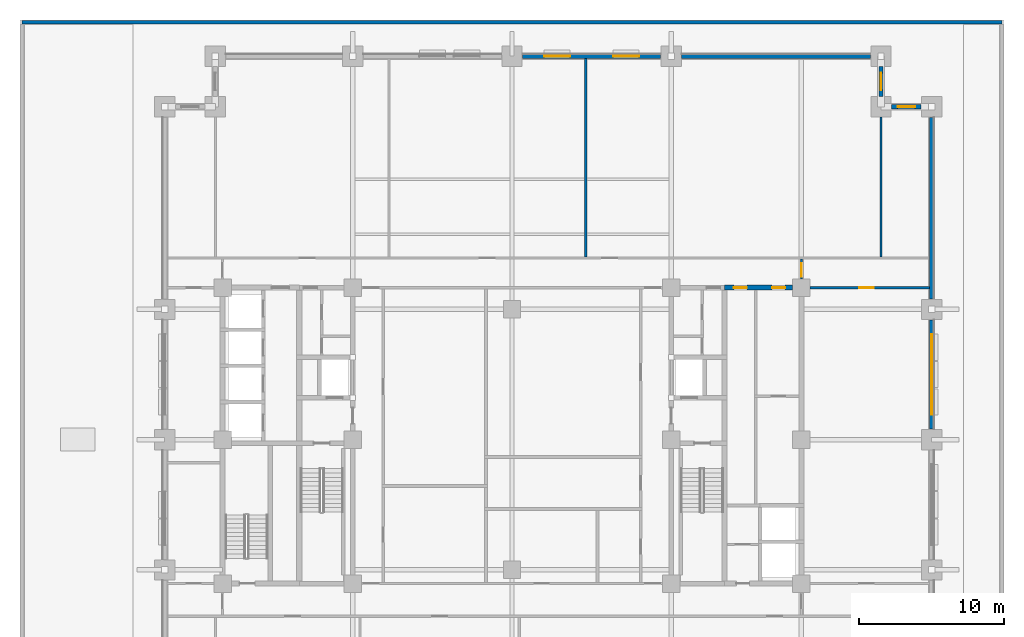
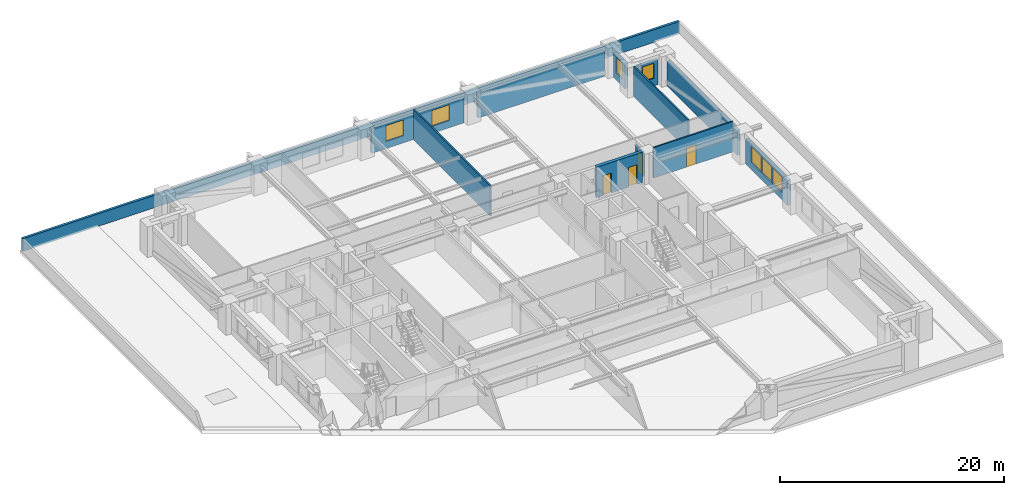
# One storey, part 7 of 12: 12 walls, 7 windows, 4 doors, 11 openings.
"""IFC4 building model written with IfcOpenShell, lengths in metres."""

from ifc_helpers import new_model, si_unit, direction, frame, frame_2d, origin, place, context, subcontext, project, spatial, rectangle, extrude, material, layer, layer_set, type_object, element, fill, save


model = new_model("IFC4")

# Units and contexts
model_context = context("Model", 3, precision=1e-05, world=origin(), true_north=direction((0.0, 1.0)))
body_context = subcontext(model_context, "Body", "Model", "MODEL_VIEW")
ifc_project = project(units=[si_unit("LENGTHUNIT", "METRE"), si_unit("AREAUNIT", "SQUARE_METRE"), si_unit("VOLUMEUNIT", "CUBIC_METRE"), si_unit("PLANEANGLEUNIT", "RADIAN"), si_unit("MASSUNIT", "GRAM", prefix="KILO")], contexts=[model_context])

# Site, building, storey
site_placement = place(None, origin())
site = spatial("IfcSite", under=ifc_project, at=site_placement, CompositionType="ELEMENT")
building_placement = place(site_placement, origin())
building = spatial("IfcBuilding", under=site, at=building_placement, Name="Zulmaris Gate Convention Tower", CompositionType="ELEMENT")
storey_placement = place(building_placement, frame((0.0, 0.0, 27.199951171875)))
storey = spatial("IfcBuildingStorey", under=building, at=storey_placement, Name="L05", CompositionType="ELEMENT", Elevation=27.199951171875)

# Wall, openings, doors
ifc_material_1 = material(Name="Concrete C55/67", Category="concrete")
ifc_layer_1 = layer(ifc_material_1, 0.35009765625, Name="Concrete C55/67")
ifc_layer_set_1 = layer_set([ifc_layer_1], Name="Concrete C55/67")
wall_type_1 = type_object("IfcWallType", Name="CORE-350", PredefinedType="SHEAR", material=ifc_layer_set_1)
wall_1_placement = place(storey_placement, frame((14.699951171875, 10.5, 0.0), z_axis=(0.0, 0.0, 1.0), x_axis=(1.0, 0.0, 0.0)))
wall_1 = element("IfcWall", 1, at=wall_1_placement, inside=storey, type_object=wall_type_1, Name="WL-L05-019", PredefinedType="SHEAR", context=body_context, shape_type="SweptSolid", body=[
    extrude(rectangle(XDim=4.696044921875, YDim=0.35009765625, at=frame_2d((2.34814453125, 0.0))), origin(), (0.0, 0.0, 1.0), 3.320068359375),
])
opening_1_placement = place(wall_1_placement, frame((0.6298828125, 0.0, 0.0)))
opening_1 = element("IfcOpeningElement", 2, at=opening_1_placement, cuts=wall_1, Name="Opening D-12", PredefinedType="OPENING", context=body_context, shape_type="SweptSolid", body=[
    extrude(rectangle(XDim=0.89990234375, YDim=2.14990234375, at=frame_2d((0.449951171875, 1.074951171875))), frame((0.0, 0.18505859375, 0.0), z_axis=(0.0, -1.0, 0.0), x_axis=(1.0, 0.0, 0.0)), (0.0, 0.0, 1.0), 0.3701171875),
])
opening_2_placement = place(wall_1_placement, frame((3.27001953125, 0.0, 0.0)))
opening_2 = element("IfcOpeningElement", 3, at=opening_2_placement, cuts=wall_1, Name="Opening D-12", PredefinedType="OPENING", context=body_context, shape_type="SweptSolid", body=[
    extrude(rectangle(XDim=0.89990234375, YDim=2.14990234375, at=frame_2d((0.449951171875, 1.074951171875))), frame((0.0, 0.18505859375, 0.0), z_axis=(0.0, -1.0, 0.0), x_axis=(1.0, 0.0, 0.0)), (0.0, 0.0, 1.0), 0.3701171875),
])
ifc_material_2 = material(Name="Fire-Rated Timber", Category="wood")
door_type_1 = type_object("IfcDoorType", Name="DR-900-FD", OperationType="NOTDEFINED", PredefinedType="DOOR", material=ifc_material_2)
door_1_placement = place(opening_1_placement, origin())
door_1 = element("IfcDoor", 4, at=door_1_placement, inside=storey, type_object=door_type_1, Name="L05 East Comms Door 21", OperationType="SINGLE_SWING_LEFT", OverallHeight=2.14990234375, OverallWidth=0.89990234375, PredefinedType="DOOR", context=body_context, shape_type="SweptSolid", body=[
    extrude(rectangle(XDim=0.89990234375, YDim=2.14990234375, at=frame_2d((0.449951171875, 1.074951171875))), frame((0.0, 0.02490234375, 0.0), z_axis=(0.0, -1.0, 0.0), x_axis=(1.0, 0.0, 0.0)), (0.0, 0.0, 1.0), 0.050048828125),
])
fill(opening_1, door_1)
door_2_placement = place(opening_2_placement, origin())
door_2 = element("IfcDoor", 5, at=door_2_placement, inside=storey, type_object=door_type_1, Name="L05 East Archive Vault Door 22", OperationType="SINGLE_SWING_RIGHT", OverallHeight=2.14990234375, OverallWidth=0.89990234375, PredefinedType="DOOR", context=body_context, shape_type="SweptSolid", body=[
    extrude(rectangle(XDim=0.89990234375, YDim=2.14990234375, at=frame_2d((0.449951171875, 1.074951171875))), frame((0.0, 0.02490234375, 0.0), z_axis=(0.0, -1.0, 0.0), x_axis=(1.0, 0.0, 0.0)), (0.0, 0.0, 1.0), 0.050048828125),
])
fill(opening_2, door_2)

# Wall, opening, door
ifc_material_3 = material(Name="Gypsum Metal Stud Partition")
ifc_layer_2 = layer(ifc_material_3, 0.14990234375, Name="Gypsum Metal Stud Partition")
ifc_layer_set_2 = layer_set([ifc_layer_2], Name="Gypsum Metal Stud Partition")
wall_type_2 = type_object("IfcWallType", Name="PART-150", PredefinedType="PARTITIONING", material=ifc_layer_set_2)
wall_2_placement = place(storey_placement, frame((20.60595703125, 10.5, 0.0), z_axis=(0.0, 0.0, 1.0), x_axis=(1.0, 0.0, 0.0)))
wall_2 = element("IfcWall", 6, at=wall_2_placement, inside=storey, type_object=wall_type_2, Name="WL-L05-035", PredefinedType="PARTITIONING", context=body_context, shape_type="SweptSolid", body=[
    extrude(rectangle(XDim=8.22900390625, YDim=0.14990234375, at=frame_2d((4.114501953125, 0.0))), origin(), (0.0, 0.0, 1.0), 3.320068359375),
])
opening_3_placement = place(wall_2_placement, frame((3.39404296875, 0.0, 0.0)))
opening_3 = element("IfcOpeningElement", 7, at=opening_3_placement, cuts=wall_2, Name="Opening D-10", PredefinedType="OPENING", context=body_context, shape_type="SweptSolid", body=[
    extrude(rectangle(XDim=1.0, YDim=2.14990234375, at=frame_2d((0.5, 1.074951171875))), frame((0.0, 0.0849609375, 0.0), z_axis=(0.0, -1.0, 0.0), x_axis=(1.0, 0.0, 0.0)), (0.0, 0.0, 1.0), 0.169921875),
])
door_type_2 = type_object("IfcDoorType", Name="DR-1000-FD", OperationType="NOTDEFINED", PredefinedType="DOOR", material=ifc_material_2)
door_3_placement = place(opening_3_placement, origin())
door_3 = element("IfcDoor", 8, at=door_3_placement, inside=storey, type_object=door_type_2, Name="L05 East Workplace North Door 46", OperationType="SINGLE_SWING_RIGHT", OverallHeight=2.14990234375, OverallWidth=1.0, PredefinedType="DOOR", context=body_context, shape_type="SweptSolid", body=[
    extrude(rectangle(XDim=1.0, YDim=2.14990234375, at=frame_2d((0.5, 1.074951171875))), frame((0.0, 0.02490234375, 0.0), z_axis=(0.0, -1.0, 0.0), x_axis=(1.0, 0.0, 0.0)), (0.0, 0.0, 1.0), 0.050048828125),
])
fill(opening_3, door_3)

# Wall
wall_3_placement = place(storey_placement, frame((5.10009765625, 12.6279296875, 0.0), z_axis=(0.0, 0.0, 1.0), x_axis=(0.0, 1.0, 0.0)))
element("IfcWall", 9, at=wall_3_placement, inside=storey, type_object=wall_type_2, Name="WL-L05-087", PredefinedType="PARTITIONING", context=body_context, shape_type="SweptSolid", body=[
    extrude(rectangle(XDim=13.70703125, YDim=0.14990234375, at=frame_2d((6.853515625, 0.0))), origin(), (0.0, 0.0, 1.0), 3.320068359375),
])

# Wall, opening, door
wall_4_placement = place(storey_placement, frame((20.0, 11.10595703125, 0.0), z_axis=(0.0, 0.0, 1.0), x_axis=(0.0, 1.0, 0.0)))
wall_4 = element("IfcWall", 10, at=wall_4_placement, inside=storey, type_object=wall_type_2, Name="WL-L05-097", PredefinedType="PARTITIONING", context=body_context, shape_type="SweptSolid", body=[
    extrude(rectangle(XDim=1.365966796875, YDim=0.14990234375, at=frame_2d((0.68310546875, 0.0))), origin(), (0.0, 0.0, 1.0), 2.66015625),
])
opening_4_placement = place(wall_4_placement, frame((0.14990234375, 0.0, 0.0)))
opening_4 = element("IfcOpeningElement", 11, at=opening_4_placement, cuts=wall_4, Name="Opening D-11", PredefinedType="OPENING", context=body_context, shape_type="SweptSolid", body=[
    extrude(rectangle(XDim=0.949951171875, YDim=2.14990234375, at=frame_2d((0.47509765625, 1.074951171875))), frame((0.0, 0.0849609375, 0.0), z_axis=(0.0, -1.0, 0.0), x_axis=(1.0, 0.0, 0.0)), (0.0, 0.0, 1.0), 0.169921875),
])
door_type_3 = type_object("IfcDoorType", Name="DR-950-FD", OperationType="NOTDEFINED", PredefinedType="DOOR", material=ifc_material_2)
door_4_placement = place(opening_4_placement, origin())
door_4 = element("IfcDoor", 12, at=door_4_placement, inside=storey, type_object=door_type_3, Name="L05 NE Spur Door 44", OperationType="SINGLE_SWING_RIGHT", OverallHeight=2.14990234375, OverallWidth=0.949951171875, PredefinedType="DOOR", context=body_context, shape_type="SweptSolid", body=[
    extrude(rectangle(XDim=0.949951171875, YDim=2.14990234375, at=frame_2d((0.47509765625, 1.074951171875))), frame((0.0, 0.02490234375, 0.0), z_axis=(0.0, -1.0, 0.0), x_axis=(1.0, 0.0, 0.0)), (0.0, 0.0, 1.0), 0.050048828125),
])
fill(opening_4, door_4)

# Walls
wall_5_placement = place(storey_placement, frame((25.5, 12.6279296875, 0.0), z_axis=(0.0, 0.0, 1.0), x_axis=(0.0, 1.0, 0.0)))
element("IfcWall", 13, at=wall_5_placement, inside=storey, type_object=wall_type_2, Name="WL-L05-099", PredefinedType="PARTITIONING", context=body_context, shape_type="SweptSolid", body=[
    extrude(rectangle(XDim=9.666015625, YDim=0.14990234375, at=frame_2d((4.8330078125, 0.0))), origin(), (0.0, 0.0, 1.0), 3.320068359375),
])
ifc_material_4 = material(Name="Precast concrete C40/50", Category="concrete")
ifc_layer_3 = layer(ifc_material_4, 0.25, Name="Precast concrete C40/50")
ifc_layer_set_3 = layer_set([ifc_layer_3], Name="Precast concrete C40/50")
wall_type_3 = type_object("IfcWallType", Name="PRECAST-PARAPET-250", PredefinedType="PARAPET", material=ifc_layer_set_3)
wall_6_placement = place(storey_placement, frame((33.85009765625, 28.85009765625, 0.0), z_axis=(0.0, 0.0, 1.0), x_axis=(-1.0, 0.0, 0.0)))
element("IfcWall", 14, at=wall_6_placement, inside=storey, type_object=wall_type_3, Name="PRP-L05-POD-N", PredefinedType="PARAPET", context=body_context, shape_type="SweptSolid", body=[
    extrude(rectangle(XDim=67.7001953125, YDim=0.25, at=frame_2d((33.85009765625, 0.0))), origin(), (0.0, 0.0, 1.0), 1.3701171875),
])

# Wall, opening, window
ifc_layer_4 = layer(ifc_material_4, 0.300048828125, Name="Precast concrete C40/50")
ifc_layer_set_4 = layer_set([ifc_layer_4], Name="Precast concrete C40/50")
wall_type_4 = type_object("IfcWallType", Name="PRECAST-PIER-300", PredefinedType="STANDARD", material=ifc_layer_set_4)
wall_7_placement = place(storey_placement, frame((28.27001953125, 23.0, 0.0), z_axis=(0.0, 0.0, 1.0), x_axis=(-1.0, 0.0, 0.0)))
wall_7 = element("IfcWall", 15, at=wall_7_placement, inside=storey, type_object=wall_type_4, Name="EW-L05-NOTCH-NE1_0", PredefinedType="STANDARD", context=body_context, shape_type="SweptSolid", body=[
    extrude(rectangle(XDim=2.0400390625, YDim=0.300048828125, at=frame_2d((1.02001953125, 0.0))), origin(), (0.0, 0.0, 1.0), 2.712158203125),
])
opening_5_placement = place(wall_7_placement, frame((0.419921875, 0.0, 0.820068359375)))
opening_5 = element("IfcOpeningElement", 16, at=opening_5_placement, cuts=wall_7, Name="Opening W-04", PredefinedType="OPENING", context=body_context, shape_type="SweptSolid", body=[
    extrude(rectangle(XDim=1.199951171875, YDim=1.64990234375, at=frame_2d((0.60009765625, 0.824951171875))), frame((0.0, 0.16015625, 0.0), z_axis=(0.0, -1.0, 0.0), x_axis=(1.0, 0.0, 0.0)), (0.0, 0.0, 1.0), 0.320068359375),
])
ifc_material_5 = material(Name="Low-E Laminated Double Glazing in Aluminium Frame", Category="aluminium")
window_type_1 = type_object("IfcWindowType", Name="WIN-1200x2100", PartitioningType="SINGLE_PANEL", PredefinedType="WINDOW", material=ifc_material_5)
window_1_placement = place(opening_5_placement, origin())
window_1 = element("IfcWindow", 17, at=window_1_placement, inside=storey, type_object=window_type_1, Name="WN-EW-L05-NOTCH-NE1_0", OverallHeight=1.64990234375, OverallWidth=1.199951171875, PartitioningType="SINGLE_PANEL", PredefinedType="WINDOW", context=body_context, shape_type="SweptSolid", body=[
    extrude(rectangle(XDim=1.199951171875, YDim=1.64990234375, at=frame_2d((0.60009765625, 0.824951171875))), frame((0.0, 0.030029296875, 0.0), z_axis=(0.0, -1.0, 0.0), x_axis=(1.0, 0.0, 0.0)), (0.0, 0.0, 1.0), 0.06005859375),
])
fill(opening_5, window_1)

wall_8_placement = place(storey_placement, frame((25.5, 23.72998046875, 0.0), z_axis=(0.0, 0.0, 1.0), x_axis=(0.0, 1.0, 0.0)))
wall_8 = element("IfcWall", 18, at=wall_8_placement, inside=storey, type_object=wall_type_4, Name="EW-L05-NOTCH-NE2_0", PredefinedType="STANDARD", context=body_context, shape_type="SweptSolid", body=[
    extrude(rectangle(XDim=2.0400390625, YDim=0.300048828125, at=frame_2d((1.02001953125, 0.0))), origin(), (0.0, 0.0, 1.0), 2.712158203125),
])
opening_6_placement = place(wall_8_placement, frame((0.419921875, 0.0, 0.820068359375)))
opening_6 = element("IfcOpeningElement", 19, at=opening_6_placement, cuts=wall_8, Name="Opening W-04", PredefinedType="OPENING", context=body_context, shape_type="SweptSolid", body=[
    extrude(rectangle(XDim=1.199951171875, YDim=1.64990234375, at=frame_2d((0.60009765625, 0.824951171875))), frame((0.0, 0.16015625, 0.0), z_axis=(0.0, -1.0, 0.0), x_axis=(1.0, 0.0, 0.0)), (0.0, 0.0, 1.0), 0.320068359375),
])
window_2_placement = place(opening_6_placement, origin())
window_2 = element("IfcWindow", 20, at=window_2_placement, inside=storey, type_object=window_type_1, Name="WN-EW-L05-NOTCH-NE2_0", OverallHeight=1.64990234375, OverallWidth=1.199951171875, PartitioningType="SINGLE_PANEL", PredefinedType="WINDOW", context=body_context, shape_type="SweptSolid", body=[
    extrude(rectangle(XDim=1.199951171875, YDim=1.64990234375, at=frame_2d((0.60009765625, 0.824951171875))), frame((0.0, 0.030029296875, 0.0), z_axis=(0.0, -1.0, 0.0), x_axis=(1.0, 0.0, 0.0)), (0.0, 0.0, 1.0), 0.06005859375),
])
fill(opening_6, window_2)

# Wall, openings, windows
wall_9_placement = place(storey_placement, frame((10.27001953125, 26.5, 0.0), z_axis=(0.0, 0.0, 1.0), x_axis=(-1.0, 0.0, 0.0)))
wall_9 = element("IfcWall", 21, at=wall_9_placement, inside=storey, type_object=wall_type_4, Name="EW-L05-N-2_0", PredefinedType="STANDARD", context=body_context, shape_type="SweptSolid", body=[
    extrude(rectangle(XDim=9.5400390625, YDim=0.300048828125, at=frame_2d((4.77001953125, 0.0))), origin(), (0.0, 0.0, 1.0), 2.712158203125),
])
opening_7_placement = place(wall_9_placement, frame((1.485107421875, 0.0, 0.780029296875)))
opening_7 = element("IfcOpeningElement", 22, at=opening_7_placement, cuts=wall_9, Name="Opening W-02", PredefinedType="OPENING", context=body_context, shape_type="SweptSolid", body=[
    extrude(rectangle(XDim=1.800048828125, YDim=1.719970703125, at=frame_2d((0.89990234375, 0.85986328125))), frame((0.0, 0.16015625, 0.0), z_axis=(0.0, -1.0, 0.0), x_axis=(1.0, 0.0, 0.0)), (0.0, 0.0, 1.0), 0.320068359375),
])
opening_8_placement = place(wall_9_placement, frame((6.2548828125, 0.0, 0.780029296875)))
opening_8 = element("IfcOpeningElement", 23, at=opening_8_placement, cuts=wall_9, Name="Opening W-02", PredefinedType="OPENING", context=body_context, shape_type="SweptSolid", body=[
    extrude(rectangle(XDim=1.800048828125, YDim=1.719970703125, at=frame_2d((0.89990234375, 0.85986328125))), frame((0.0, 0.16015625, 0.0), z_axis=(0.0, -1.0, 0.0), x_axis=(1.0, 0.0, 0.0)), (0.0, 0.0, 1.0), 0.320068359375),
])
window_type_2 = type_object("IfcWindowType", Name="WIN-1800x2200", PartitioningType="SINGLE_PANEL", PredefinedType="WINDOW", material=ifc_material_5)
window_3_placement = place(opening_7_placement, origin())
window_3 = element("IfcWindow", 24, at=window_3_placement, inside=storey, type_object=window_type_2, Name="WN-EW-L05-N-2_0-1", OverallHeight=1.719970703125, OverallWidth=1.800048828125, PartitioningType="SINGLE_PANEL", PredefinedType="WINDOW", context=body_context, shape_type="SweptSolid", body=[
    extrude(rectangle(XDim=1.800048828125, YDim=1.719970703125, at=frame_2d((0.89990234375, 0.85986328125))), frame((0.0, 0.030029296875, 0.0), z_axis=(0.0, -1.0, 0.0), x_axis=(1.0, 0.0, 0.0)), (0.0, 0.0, 1.0), 0.06005859375),
])
fill(opening_7, window_3)
window_4_placement = place(opening_8_placement, origin())
window_4 = element("IfcWindow", 25, at=window_4_placement, inside=storey, type_object=window_type_2, Name="WN-EW-L05-N-2_0-3", OverallHeight=1.719970703125, OverallWidth=1.800048828125, PartitioningType="SINGLE_PANEL", PredefinedType="WINDOW", context=body_context, shape_type="SweptSolid", body=[
    extrude(rectangle(XDim=1.800048828125, YDim=1.719970703125, at=frame_2d((0.89990234375, 0.85986328125))), frame((0.0, 0.030029296875, 0.0), z_axis=(0.0, -1.0, 0.0), x_axis=(1.0, 0.0, 0.0)), (0.0, 0.0, 1.0), 0.06005859375),
])
fill(opening_8, window_4)

# Wall
wall_10_placement = place(storey_placement, frame((24.77001953125, 26.5, 0.0), z_axis=(0.0, 0.0, 1.0), x_axis=(-1.0, 0.0, 0.0)))
element("IfcWall", 26, at=wall_10_placement, inside=storey, type_object=wall_type_4, Name="EW-L05-N-3_0", PredefinedType="STANDARD", context=body_context, shape_type="SweptSolid", body=[
    extrude(rectangle(XDim=13.0400390625, YDim=0.300048828125, at=frame_2d((6.52001953125, 0.0))), origin(), (0.0, 0.0, 1.0), 2.712158203125),
])

# Wall, openings, windows
wall_11_placement = place(storey_placement, frame((29.0, 0.72998046875, 0.0), z_axis=(0.0, 0.0, 1.0), x_axis=(0.0, 1.0, 0.0)))
wall_11 = element("IfcWall", 27, at=wall_11_placement, inside=storey, type_object=wall_type_4, Name="EW-L05-E-2_0", PredefinedType="STANDARD", context=body_context, shape_type="SweptSolid", body=[
    extrude(rectangle(XDim=7.5400390625, YDim=0.300048828125, at=frame_2d((3.77001953125, 0.0))), origin(), (0.0, 0.0, 1.0), 2.712158203125),
])
opening_9_placement = place(wall_11_placement, frame((0.985107421875, 0.0, 0.780029296875)))
opening_9 = element("IfcOpeningElement", 28, at=opening_9_placement, cuts=wall_11, Name="Opening W-02", PredefinedType="OPENING", context=body_context, shape_type="SweptSolid", body=[
    extrude(rectangle(XDim=1.800048828125, YDim=1.719970703125, at=frame_2d((0.89990234375, 0.85986328125))), frame((0.0, 0.16015625, 0.0), z_axis=(0.0, -1.0, 0.0), x_axis=(1.0, 0.0, 0.0)), (0.0, 0.0, 1.0), 0.320068359375),
])
opening_10_placement = place(wall_11_placement, frame((2.8701171875, 0.0, 0.780029296875)))
opening_10 = element("IfcOpeningElement", 29, at=opening_10_placement, cuts=wall_11, Name="Opening W-02", PredefinedType="OPENING", context=body_context, shape_type="SweptSolid", body=[
    extrude(rectangle(XDim=1.800048828125, YDim=1.719970703125, at=frame_2d((0.89990234375, 0.85986328125))), frame((0.0, 0.16015625, 0.0), z_axis=(0.0, -1.0, 0.0), x_axis=(1.0, 0.0, 0.0)), (0.0, 0.0, 1.0), 0.320068359375),
])
opening_11_placement = place(wall_11_placement, frame((4.7548828125, 0.0, 0.780029296875)))
opening_11 = element("IfcOpeningElement", 30, at=opening_11_placement, cuts=wall_11, Name="Opening W-02", PredefinedType="OPENING", context=body_context, shape_type="SweptSolid", body=[
    extrude(rectangle(XDim=1.800048828125, YDim=1.719970703125, at=frame_2d((0.89990234375, 0.85986328125))), frame((0.0, 0.16015625, 0.0), z_axis=(0.0, -1.0, 0.0), x_axis=(1.0, 0.0, 0.0)), (0.0, 0.0, 1.0), 0.320068359375),
])
window_5_placement = place(opening_9_placement, origin())
window_5 = element("IfcWindow", 31, at=window_5_placement, inside=storey, type_object=window_type_2, Name="WN-EW-L05-E-2_0-1", OverallHeight=1.719970703125, OverallWidth=1.800048828125, PartitioningType="SINGLE_PANEL", PredefinedType="WINDOW", context=body_context, shape_type="SweptSolid", body=[
    extrude(rectangle(XDim=1.800048828125, YDim=1.719970703125, at=frame_2d((0.89990234375, 0.85986328125))), frame((0.0, 0.030029296875, 0.0), z_axis=(0.0, -1.0, 0.0), x_axis=(1.0, 0.0, 0.0)), (0.0, 0.0, 1.0), 0.06005859375),
])
fill(opening_9, window_5)
window_6_placement = place(opening_10_placement, origin())
window_6 = element("IfcWindow", 32, at=window_6_placement, inside=storey, type_object=window_type_2, Name="WN-EW-L05-E-2_0-2", OverallHeight=1.719970703125, OverallWidth=1.800048828125, PartitioningType="SINGLE_PANEL", PredefinedType="WINDOW", context=body_context, shape_type="SweptSolid", body=[
    extrude(rectangle(XDim=1.800048828125, YDim=1.719970703125, at=frame_2d((0.89990234375, 0.85986328125))), frame((0.0, 0.030029296875, 0.0), z_axis=(0.0, -1.0, 0.0), x_axis=(1.0, 0.0, 0.0)), (0.0, 0.0, 1.0), 0.06005859375),
])
fill(opening_10, window_6)
window_7_placement = place(opening_11_placement, origin())
window_7 = element("IfcWindow", 33, at=window_7_placement, inside=storey, type_object=window_type_2, Name="WN-EW-L05-E-2_0-3", OverallHeight=1.719970703125, OverallWidth=1.800048828125, PartitioningType="SINGLE_PANEL", PredefinedType="WINDOW", context=body_context, shape_type="SweptSolid", body=[
    extrude(rectangle(XDim=1.800048828125, YDim=1.719970703125, at=frame_2d((0.89990234375, 0.85986328125))), frame((0.0, 0.030029296875, 0.0), z_axis=(0.0, -1.0, 0.0), x_axis=(1.0, 0.0, 0.0)), (0.0, 0.0, 1.0), 0.06005859375),
])
fill(opening_11, window_7)

# Wall
wall_12_placement = place(storey_placement, frame((29.0, 9.72998046875, 0.0), z_axis=(0.0, 0.0, 1.0), x_axis=(0.0, 1.0, 0.0)))
element("IfcWall", 34, at=wall_12_placement, inside=storey, type_object=wall_type_4, Name="EW-L05-E-3_0", PredefinedType="STANDARD", context=body_context, shape_type="SweptSolid", body=[
    extrude(rectangle(XDim=12.5400390625, YDim=0.300048828125, at=frame_2d((6.27001953125, 0.0))), origin(), (0.0, 0.0, 1.0), 2.712158203125),
])

save(model, "model.ifc")
